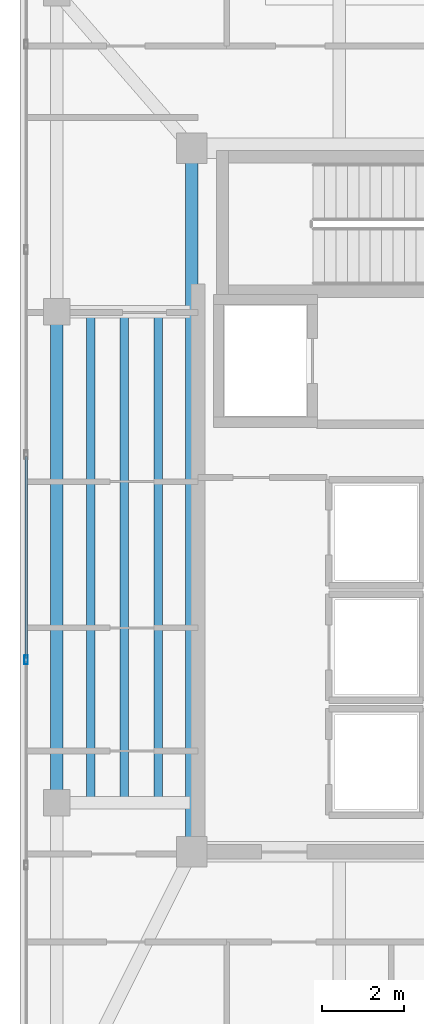
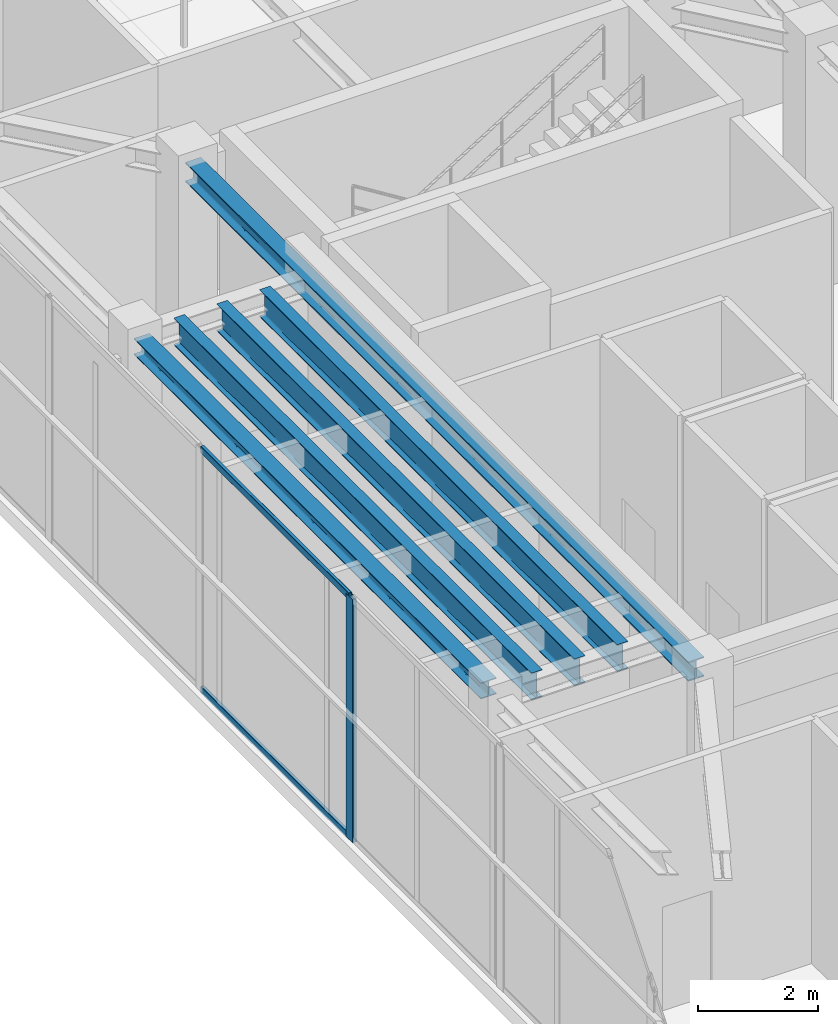
# One storey, part 5 of 23: 5 beams, 3 members, 1 element without a shape of its own.
"""IFC4 building model written with IfcOpenShell, lengths in metres."""

from ifc_helpers import new_model, si_unit, direction, frame, origin, origin_2d, place, context, subcontext, project, spatial, hollow_rectangle, i_section, extrude, material, layer, layer_set, material_profile, profile_set, type_object, element, aggregate, save


model = new_model("IFC4")

# Units and contexts
model_context = context("Model", 3, precision=1e-05, world=origin(), true_north=direction((0.0, 1.0)))
body_context = subcontext(model_context, "Body", "Model", "MODEL_VIEW")
ifc_project = project(units=[si_unit("LENGTHUNIT", "METRE"), si_unit("AREAUNIT", "SQUARE_METRE"), si_unit("VOLUMEUNIT", "CUBIC_METRE"), si_unit("PLANEANGLEUNIT", "RADIAN"), si_unit("MASSUNIT", "GRAM", prefix="KILO")], contexts=[model_context])

# Site, building, storey
site_placement = place(None, origin())
site = spatial("IfcSite", under=ifc_project, at=site_placement, CompositionType="ELEMENT")
building_placement = place(site_placement, origin())
building = spatial("IfcBuilding", under=site, at=building_placement, Name="Tarnavaz Court Tower", CompositionType="ELEMENT")
storey_placement = place(building_placement, frame((0.0, 0.0, 276.300048828125)))
storey = spatial("IfcBuildingStorey", under=building, at=storey_placement, Name="L75", CompositionType="ELEMENT", Elevation=276.300048828125)

# Beams
ifc_material_1 = material(Name="Steel S355", Category="steel")
ifc_material_profile_1 = material_profile(ifc_material_1, i_section(OverallWidth=0.300048828125, OverallDepth=0.39990234375, WebThickness=0.013427734375, FlangeThickness=0.02392578125, FilletRadius=0.027099609375, at=origin_2d()), Name="HEB 400")
ifc_profile_set_1 = profile_set([ifc_material_profile_1], Name="Steel S355")
beam_type_1 = type_object("IfcBeamType", Name="BM-G-HEB400", PredefinedType="USERDEFINED", material=ifc_profile_set_1)
beam_1_placement = place(storey_placement, frame((-18.60009765625, -6.97998046875, 4.75), z_axis=(0.0, 1.0, 0.0), x_axis=(-1.0, 0.0, 0.0)))
element("IfcBeam", 1, at=beam_1_placement, inside=storey, type_object=beam_type_1, Name="L75 Beam IN-CW-SO-CW-NO", ObjectType="GIRDER", PredefinedType="USERDEFINED", context=body_context, shape_type="SweptSolid", body=[
    extrude(i_section(OverallWidth=0.300048828125, OverallDepth=0.39990234375, WebThickness=0.013427734375, FlangeThickness=0.02392578125, FilletRadius=0.027099609375, at=origin_2d()), origin(), (0.0, 0.0, 1.0), 16.760009765625),
])
ifc_material_profile_2 = material_profile(ifc_material_1, i_section(OverallWidth=0.2099609375, OverallDepth=0.550048828125, WebThickness=0.010986328125, FlangeThickness=0.01708984375, FilletRadius=0.02392578125, at=origin_2d()), Name="IPE 550")
ifc_profile_set_2 = profile_set([ifc_material_profile_2], Name="Steel S355")
beam_type_2 = type_object("IfcBeamType", Name="BM-J-IPE550", PredefinedType="JOIST", material=ifc_profile_set_2)
for number, where, z_axis, x_axis, name in (
    (2, (-19.425048828125, -5.9599609375, 4.675048828125), (0.0, 1.0, 0.0), (-1.0, 0.0, 0.0), "L75 Beam JW1"),
    (3, (-20.25, -5.9599609375, 4.675048828125), (0.0, 1.0, 0.0), (-1.0, 0.0, 0.0), "L75 Beam JW2"),
    (4, (-21.074951171875, -5.9599609375, 4.675048828125), (0.0, 1.0, 0.0), (-1.0, 0.0, 0.0), "L75 Beam JW3"),
):
    element("IfcBeam", number, at=place(storey_placement, frame(where, z_axis=z_axis, x_axis=x_axis)), inside=storey, type_object=beam_type_2, Name=name, PredefinedType="JOIST", context=body_context, shape_type="SweptSolid", body=[
        extrude(i_section(OverallWidth=0.2099609375, OverallDepth=0.550048828125, WebThickness=0.010986328125, FlangeThickness=0.01708984375, FilletRadius=0.02392578125, at=origin_2d()), origin(), (0.0, 0.0, 1.0), 11.919921875),
    ])
ifc_material_profile_3 = material_profile(ifc_material_1, i_section(OverallWidth=0.300048828125, OverallDepth=0.330078125, WebThickness=0.009521484375, FlangeThickness=0.0166015625, FilletRadius=0.027099609375, at=origin_2d()), Name="HEA 340")
ifc_profile_set_3 = profile_set([ifc_material_profile_3], Name="Steel S355")
beam_type_3 = type_object("IfcBeamType", Name="BM-SP-HEA340", PredefinedType="BEAM", material=ifc_profile_set_3)
beam_2_placement = place(storey_placement, frame((-21.89990234375, -5.780029296875, 4.784912109375), z_axis=(0.0, 1.0, 0.0), x_axis=(-1.0, 0.0, 0.0)))
element("IfcBeam", 5, at=beam_2_placement, inside=storey, type_object=beam_type_3, Name="L75 Beam PR-PW-2-PW-3", PredefinedType="BEAM", context=body_context, shape_type="SweptSolid", body=[
    extrude(i_section(OverallWidth=0.300048828125, OverallDepth=0.330078125, WebThickness=0.009521484375, FlangeThickness=0.0166015625, FilletRadius=0.027099609375, at=origin_2d()), origin(), (0.0, 0.0, 1.0), 11.56005859375),
])

# Curtain wall, members
ifc_material_2 = material(Name="Anodised Aluminium 6063-T6 and Solar Low-E Glazing", Category="aluminium")
ifc_layer = layer(ifc_material_2, 0.2099609375)
ifc_layer_set = layer_set([ifc_layer], Name="Anodised Aluminium 6063-T6 and Solar Low-E Glazing")
curtain_wall_type = type_object("IfcCurtainWallType", Name="CW-SYS-06", PredefinedType="NOTDEFINED", material=ifc_layer_set)
curtain_wall_placement = place(storey_placement, origin())
curtain_wall = element("IfcCurtainWall", 6, at=curtain_wall_placement, inside=storey, type_object=curtain_wall_type, Name="L75 Observation Curtain Wall 2", PredefinedType="NOTDEFINED")
ifc_material_3 = material(Name="Anodised Aluminium 6063-T6", Category="aluminium")
ifc_material_profile_4 = material_profile(ifc_material_3, hollow_rectangle(XDim=0.0849609375, YDim=0.219970703125, WallThickness=0.006103515625, InnerFilletRadius=0.006103515625, OuterFilletRadius=0.011962890625, at=origin_2d()), Name="ALU RHS 220X85X6")
ifc_profile_set_4 = profile_set([ifc_material_profile_4], Name="Anodised Aluminium 6063-T6")
member_type_1 = type_object("IfcMemberType", Name="CW-MUL-220", PredefinedType="MULLION", material=ifc_profile_set_4)
member_1_placement = place(storey_placement, frame((-22.64990234375, -2.507080078125, 0.0), z_axis=(0.0, 0.0, 1.0), x_axis=(-1.0, 0.0, 0.0)))
member_1 = element("IfcMember", 7, at=member_1_placement, type_object=member_type_1, Name="CW mullion 4", PredefinedType="MULLION", context=body_context, shape_type="SweptSolid", body=[
    extrude(hollow_rectangle(XDim=0.0849609375, YDim=0.219970703125, WallThickness=0.006103515625, InnerFilletRadius=0.006103515625, OuterFilletRadius=0.011962890625, at=origin_2d()), origin(), (0.0, 0.0, 1.0), 4.949951171875),
])
ifc_material_profile_5 = material_profile(ifc_material_3, hollow_rectangle(XDim=0.06494140625, YDim=0.139892578125, WallThickness=0.00390625, InnerFilletRadius=0.00390625, OuterFilletRadius=0.008056640625, at=origin_2d()), Name="ALU RHS 140X65X4")
ifc_profile_set_5 = profile_set([ifc_material_profile_5], Name="Anodised Aluminium 6063-T6")
member_type_2 = type_object("IfcMemberType", Name="CW-TRN-140", PredefinedType="USERDEFINED", material=ifc_profile_set_5)
member_2_placement = place(storey_placement, frame((-22.64990234375, -2.464599609375, 0.032470703125), z_axis=(0.0, 1.0, 0.0), x_axis=(-1.0, 0.0, 0.0)))
member_2 = element("IfcMember", 8, at=member_2_placement, type_object=member_type_2, Name="CW transom 4.1", ObjectType="TRANSOM", PredefinedType="USERDEFINED", context=body_context, shape_type="SweptSolid", body=[
    extrude(hollow_rectangle(XDim=0.06494140625, YDim=0.139892578125, WallThickness=0.00390625, InnerFilletRadius=0.00390625, OuterFilletRadius=0.008056640625, at=origin_2d()), origin(), (0.0, 0.0, 1.0), 4.92919921875),
])
member_3_placement = place(storey_placement, frame((-22.64990234375, -2.464599609375, 4.91748046875), z_axis=(0.0, 1.0, 0.0), x_axis=(-1.0, 0.0, 0.0)))
member_3 = element("IfcMember", 9, at=member_3_placement, type_object=member_type_2, Name="CW transom 4.2", ObjectType="TRANSOM", PredefinedType="USERDEFINED", context=body_context, shape_type="SweptSolid", body=[
    extrude(hollow_rectangle(XDim=0.06494140625, YDim=0.139892578125, WallThickness=0.00390625, InnerFilletRadius=0.00390625, OuterFilletRadius=0.008056640625, at=origin_2d()), origin(), (0.0, 0.0, 1.0), 4.92919921875),
])
aggregate(curtain_wall, [member_1, member_2, member_3])

save(model, "model.ifc")
